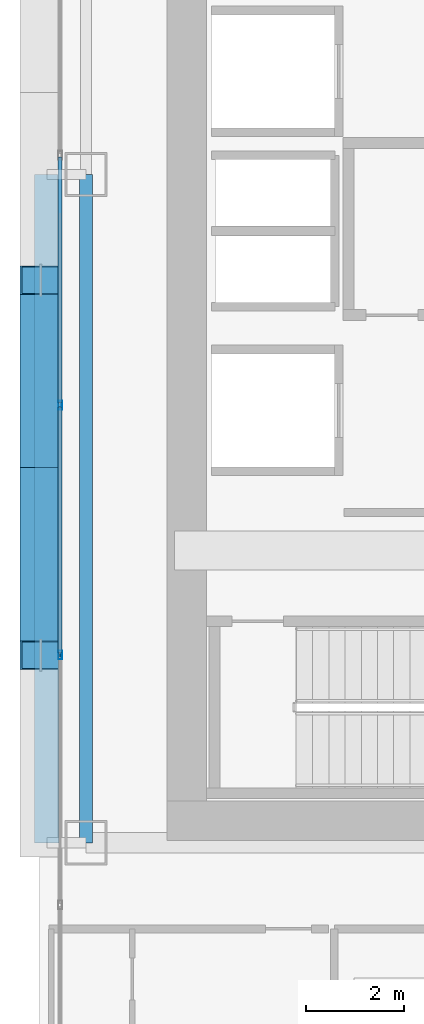
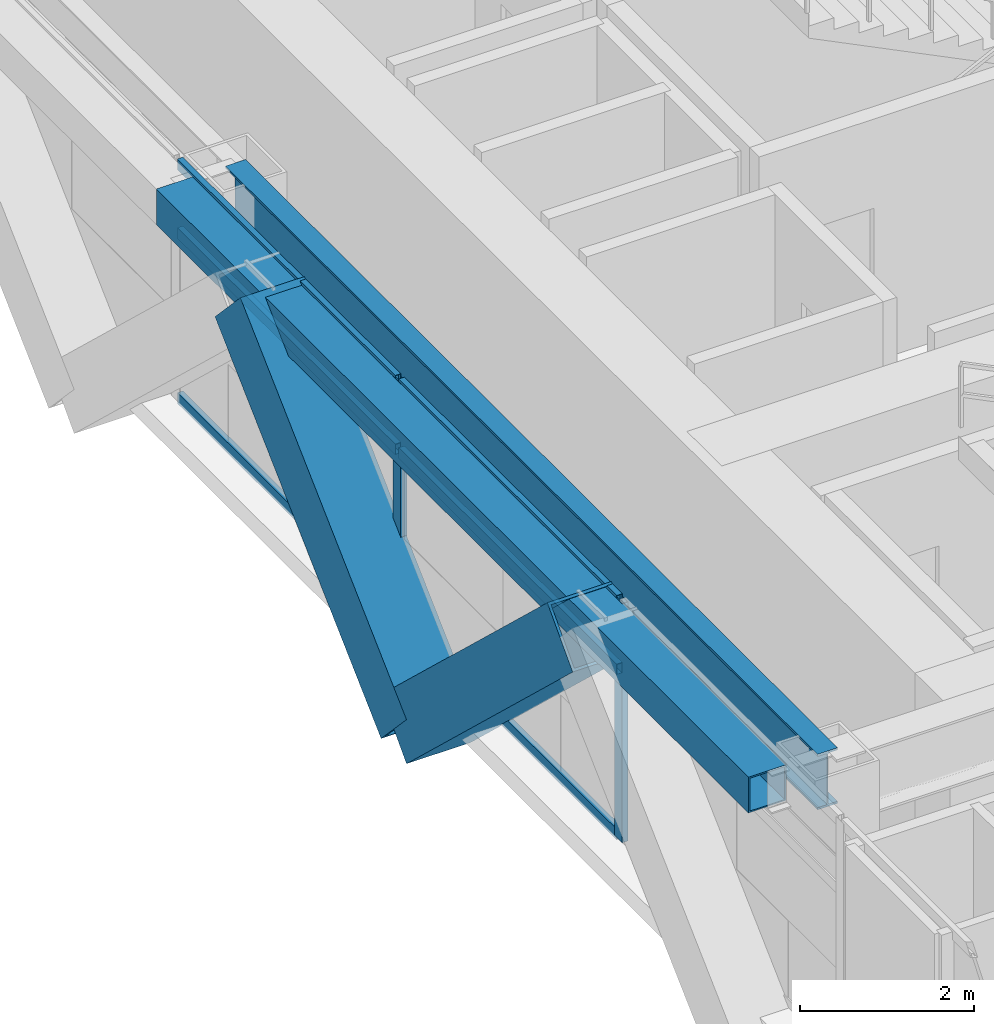
# One storey, part 6 of 35: 10 members, 2 beams, 1 element without a shape of its own.
"""IFC4 building model written with IfcOpenShell, lengths in metres."""

from ifc_helpers import new_model, si_unit, direction, frame, origin, origin_2d, place, context, subcontext, project, spatial, hollow_rectangle, i_section, extrude, source, transform, mapped, material, layer, layer_set, material_profile, profile_set, type_object, element, aggregate, save


model = new_model("IFC4")

# Units and contexts
model_context = context("Model", 3, precision=1e-05, world=origin(), true_north=direction((0.0, 1.0)))
body_context = subcontext(model_context, "Body", "Model", "MODEL_VIEW")
ifc_project = project(units=[si_unit("LENGTHUNIT", "METRE"), si_unit("AREAUNIT", "SQUARE_METRE"), si_unit("VOLUMEUNIT", "CUBIC_METRE"), si_unit("PLANEANGLEUNIT", "RADIAN"), si_unit("MASSUNIT", "GRAM", prefix="KILO")], contexts=[model_context])

# Site, building, storey
site_placement = place(None, origin())
site = spatial("IfcSite", under=ifc_project, at=site_placement, CompositionType="ELEMENT")
building_placement = place(site_placement, origin())
building = spatial("IfcBuilding", under=site, at=building_placement, Name="Ocotamira Hotel", CompositionType="ELEMENT")
storey_placement = place(building_placement, frame((0.0, 0.0, 56.39990234375)))
storey = spatial("IfcBuildingStorey", under=building, at=storey_placement, Name="L13", CompositionType="ELEMENT", Elevation=56.39990234375)

# Beams
ifc_material_1 = material(Name="Steel ASTM A992 Grade 50", Category="steel")
ifc_material_profile_1 = material_profile(ifc_material_1, i_section(OverallWidth=0.26611328125, OverallDepth=0.779052734375, WebThickness=0.0166015625, FlangeThickness=0.030029296875, FilletRadius=0.01806640625, at=origin_2d()), Name="W30X148")
ifc_profile_set_1 = profile_set([ifc_material_profile_1], Name="Steel ASTM A992 Grade 50")
beam_type_1 = type_object("IfcBeamType", Name="BM-GIRD-W30X148", PredefinedType="BEAM", material=ifc_profile_set_1)
shared_shape_1 = source(origin(), body_context, "Body", "SweptSolid", [
    extrude(i_section(OverallWidth=0.26611328125, OverallDepth=0.779052734375, WebThickness=0.0166015625, FlangeThickness=0.030029296875, FilletRadius=0.01806640625, at=origin_2d()), origin(), (0.0, 0.0, 1.0), 13.599853515625),
])
beam_1_placement = place(storey_placement, frame((8.949951171875, 14.550048828125, 2.960693359375), z_axis=(0.0, 1.0, 0.0), x_axis=(-1.0, 0.0, 0.0)))
element("IfcBeam", 1, at=beam_1_placement, inside=storey, type_object=beam_type_1, Name="L13 Beam X8.95 Y14.55-28.15", PredefinedType="BEAM", context=body_context, shape_type="MappedRepresentation", body=[
    mapped(shared_shape_1, transform((0.0, 0.0, 0.0), scale=1.0)),
])
ifc_material_2 = material(Name="Steel ASTM A500 Grade C", Category="steel")
ifc_material_profile_2 = material_profile(ifc_material_2, hollow_rectangle(XDim=0.5, YDim=0.5, WallThickness=0.02001953125, at=origin_2d()), Name="HSS500X500X20")
ifc_profile_set_2 = profile_set([ifc_material_profile_2], Name="Steel ASTM A500 Grade C")
beam_type_2 = type_object("IfcBeamType", Name="BM-SPAN-HSS500", PredefinedType="USERDEFINED", material=ifc_profile_set_2)
shared_shape_2 = source(origin(), body_context, "Body", "SweptSolid", [
    extrude(hollow_rectangle(XDim=0.5, YDim=0.5, WallThickness=0.02001953125, at=origin_2d()), origin(), (0.0, 0.0, 1.0), 13.599853515625),
])
beam_2_placement = place(storey_placement, frame((8.14990234375, 14.550048828125, 3.10009765625), z_axis=(0.0, 1.0, 0.0), x_axis=(-1.0, 0.0, 0.0)))
element("IfcBeam", 2, at=beam_2_placement, inside=storey, type_object=beam_type_2, Name="L13 Edge Spandrel W Y14.55-28.15", ObjectType="SPANDREL", PredefinedType="USERDEFINED", context=body_context, shape_type="MappedRepresentation", body=[
    mapped(shared_shape_2, transform((0.0, 0.0, 0.0), scale=1.0)),
])

# Members
ifc_material_3 = material(Name="Pale-metal coated steel ASTM A913 Grade 65", Category="steel")
ifc_material_profile_3 = material_profile(ifc_material_3, hollow_rectangle(XDim=0.85009765625, YDim=0.85009765625, WallThickness=0.035888671875, at=origin_2d()), Name="BOX850X850X36")
ifc_profile_set_3 = profile_set([ifc_material_profile_3], Name="Pale-metal coated steel ASTM A913 Grade 65")
member_type_1 = type_object("IfcMemberType", Name="MEM-EXO-BOX850", PredefinedType="BRACE", material=ifc_profile_set_3)
shared_shape_3 = source(origin(), body_context, "Body", "SweptSolid", [
    extrude(hollow_rectangle(XDim=0.85009765625, YDim=0.85009765625, WallThickness=0.035888671875, at=origin_2d()), origin(), (0.0, 0.0, 1.0), 5.24658203125),
])
for number, where, z_axis, x_axis, name in (
    (3, (8.030029296875, 22.183349609375, -0.5), (0.0, -0.727442733726, 0.686168397078), (1.0, 0.0, 0.0), "L13 Exoskeleton Diagrid W0.2"),
    (4, (8.030029296875, 22.183349609375, -0.5), (0.0, 0.727442733726, 0.686168397078), (-1.0, 0.0, 0.0), "L13 Exoskeleton Diagrid W1.1"),
):
    element("IfcMember", number, at=place(storey_placement, frame(where, z_axis=z_axis, x_axis=x_axis)), inside=storey, type_object=member_type_1, Name=name, PredefinedType="BRACE", context=body_context, shape_type="MappedRepresentation", body=[
        mapped(shared_shape_3, transform((0.0, 0.0, 0.0), scale=1.0)),
    ])

# Curtain wall, members
ifc_material_4 = material(Name="Anodised pale-metal aluminium and solar glass", Category="aluminium")
ifc_layer = layer(ifc_material_4, 0.179931640625)
ifc_layer_set = layer_set([ifc_layer], Name="Anodised pale-metal aluminium and solar glass")
curtain_wall_type = type_object("IfcCurtainWallType", Name="CW-SYS2-Z1", PredefinedType="NOTDEFINED", material=ifc_layer_set)
curtain_wall_placement = place(storey_placement, origin())
curtain_wall = element("IfcCurtainWall", 5, at=curtain_wall_placement, inside=storey, type_object=curtain_wall_type, Name="L13 Curtain Wall CW-2 CW-L13-W", PredefinedType="NOTDEFINED")
ifc_material_5 = material(Name="Anodised pale-metal aluminium 6063-T6", Category="aluminium")
ifc_material_profile_4 = material_profile(ifc_material_5, hollow_rectangle(XDim=0.074951171875, YDim=0.14990234375, WallThickness=0.006103515625, at=origin_2d()), Name="HSS150X75X6")
ifc_profile_set_4 = profile_set([ifc_material_profile_4], Name="Anodised pale-metal aluminium 6063-T6")
member_type_2 = type_object("IfcMemberType", Name="CWT-150X75", PredefinedType="USERDEFINED", material=ifc_profile_set_4)
shared_shape_4 = source(origin(), body_context, "Body", "SweptSolid", [
    extrude(hollow_rectangle(XDim=0.074951171875, YDim=0.14990234375, WallThickness=0.006103515625, at=origin_2d()), origin(), (0.0, 0.0, 1.0), 5.005859375),
])
member_1_placement = place(storey_placement, frame((8.419921875, 18.411376953125, 0.03759765625), z_axis=(0.0, 1.0, 0.0), x_axis=(-1.0, 0.0, 0.0)))
member_1 = element("IfcMember", 6, at=member_1_placement, type_object=member_type_2, Name="CW-2 transom 3.1", ObjectType="TRANSOM", PredefinedType="USERDEFINED", context=body_context, shape_type="MappedRepresentation", body=[
    mapped(shared_shape_4, transform((0.0, 0.0, 0.0), scale=1.0)),
])
member_2_placement = place(storey_placement, frame((8.419921875, 18.411376953125, 2.35009765625), z_axis=(0.0, 1.0, 0.0), x_axis=(-1.0, 0.0, 0.0)))
member_2 = element("IfcMember", 7, at=member_2_placement, type_object=member_type_2, Name="CW-2 transom 3.2", ObjectType="TRANSOM", PredefinedType="USERDEFINED", context=body_context, shape_type="MappedRepresentation", body=[
    mapped(shared_shape_4, transform((0.0, 0.0, 0.0), scale=1.0)),
])
member_3_placement = place(storey_placement, frame((8.419921875, 18.411376953125, 3.3125), z_axis=(0.0, 1.0, 0.0), x_axis=(-1.0, 0.0, 0.0)))
member_3 = element("IfcMember", 8, at=member_3_placement, type_object=member_type_2, Name="CW-2 transom 3.3", ObjectType="TRANSOM", PredefinedType="USERDEFINED", context=body_context, shape_type="MappedRepresentation", body=[
    mapped(shared_shape_4, transform((0.0, 0.0, 0.0), scale=1.0)),
])
member_4_placement = place(storey_placement, frame((8.419921875, 23.4970703125, 0.03759765625), z_axis=(0.0, 1.0, 0.0), x_axis=(-1.0, 0.0, 0.0)))
member_4 = element("IfcMember", 9, at=member_4_placement, type_object=member_type_2, Name="CW-2 transom 4.1", ObjectType="TRANSOM", PredefinedType="USERDEFINED", context=body_context, shape_type="MappedRepresentation", body=[
    mapped(shared_shape_4, transform((0.0, 0.0, 0.0), scale=1.0)),
])
member_5_placement = place(storey_placement, frame((8.419921875, 23.4970703125, 2.35009765625), z_axis=(0.0, 1.0, 0.0), x_axis=(-1.0, 0.0, 0.0)))
member_5 = element("IfcMember", 10, at=member_5_placement, type_object=member_type_2, Name="CW-2 transom 4.2", ObjectType="TRANSOM", PredefinedType="USERDEFINED", context=body_context, shape_type="MappedRepresentation", body=[
    mapped(shared_shape_4, transform((0.0, 0.0, 0.0), scale=1.0)),
])
member_6_placement = place(storey_placement, frame((8.419921875, 23.4970703125, 3.3125), z_axis=(0.0, 1.0, 0.0), x_axis=(-1.0, 0.0, 0.0)))
member_6 = element("IfcMember", 11, at=member_6_placement, type_object=member_type_2, Name="CW-2 transom 4.3", ObjectType="TRANSOM", PredefinedType="USERDEFINED", context=body_context, shape_type="MappedRepresentation", body=[
    mapped(shared_shape_4, transform((0.0, 0.0, 0.0), scale=1.0)),
])
ifc_material_profile_5 = material_profile(ifc_material_5, hollow_rectangle(XDim=0.080078125, YDim=0.179931640625, WallThickness=0.006103515625, at=origin_2d()), Name="HSS180X80X6")
ifc_profile_set_5 = profile_set([ifc_material_profile_5], Name="Anodised pale-metal aluminium 6063-T6")
member_type_3 = type_object("IfcMemberType", Name="CWM-180X75", PredefinedType="MULLION", material=ifc_profile_set_5)
shared_shape_5 = source(origin(), body_context, "Body", "SweptSolid", [
    extrude(hollow_rectangle(XDim=0.080078125, YDim=0.179931640625, WallThickness=0.006103515625, at=origin_2d()), origin(), (0.0, 0.0, 1.0), 3.35009765625),
])
member_7_placement = place(storey_placement, frame((8.419921875, 18.371337890625, 0.0), z_axis=(0.0, 0.0, 1.0), x_axis=(-1.0, 0.0, 0.0)))
member_7 = element("IfcMember", 12, at=member_7_placement, type_object=member_type_3, Name="CW-2 mullion 3", PredefinedType="MULLION", context=body_context, shape_type="MappedRepresentation", body=[
    mapped(shared_shape_5, transform((0.0, 0.0, 0.0), scale=1.0)),
])
member_8_placement = place(storey_placement, frame((8.419921875, 23.45703125, 0.0), z_axis=(0.0, 0.0, 1.0), x_axis=(-1.0, 0.0, 0.0)))
member_8 = element("IfcMember", 13, at=member_8_placement, type_object=member_type_3, Name="CW-2 mullion 4", PredefinedType="MULLION", context=body_context, shape_type="MappedRepresentation", body=[
    mapped(shared_shape_5, transform((0.0, 0.0, 0.0), scale=1.0)),
])
aggregate(curtain_wall, [member_7, member_8, member_1, member_2, member_3, member_4, member_5, member_6])

save(model, "model.ifc")
